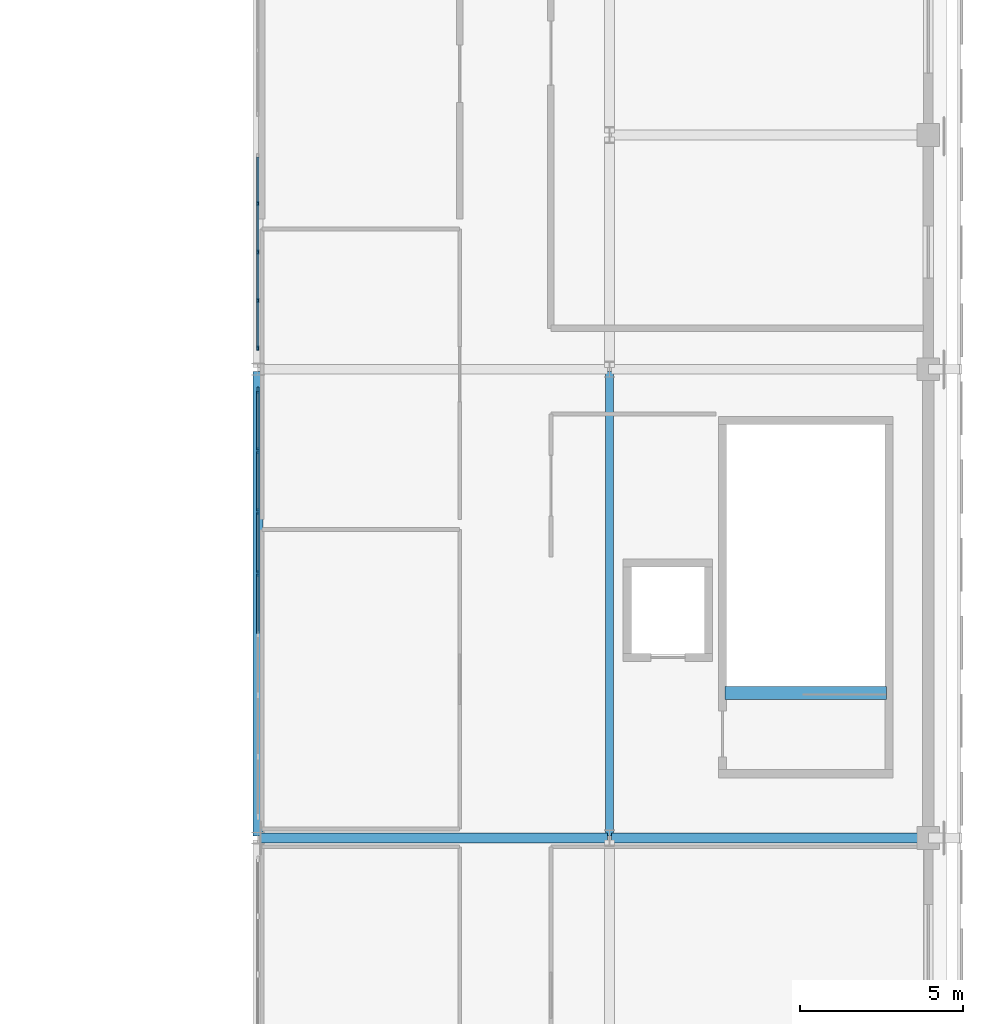
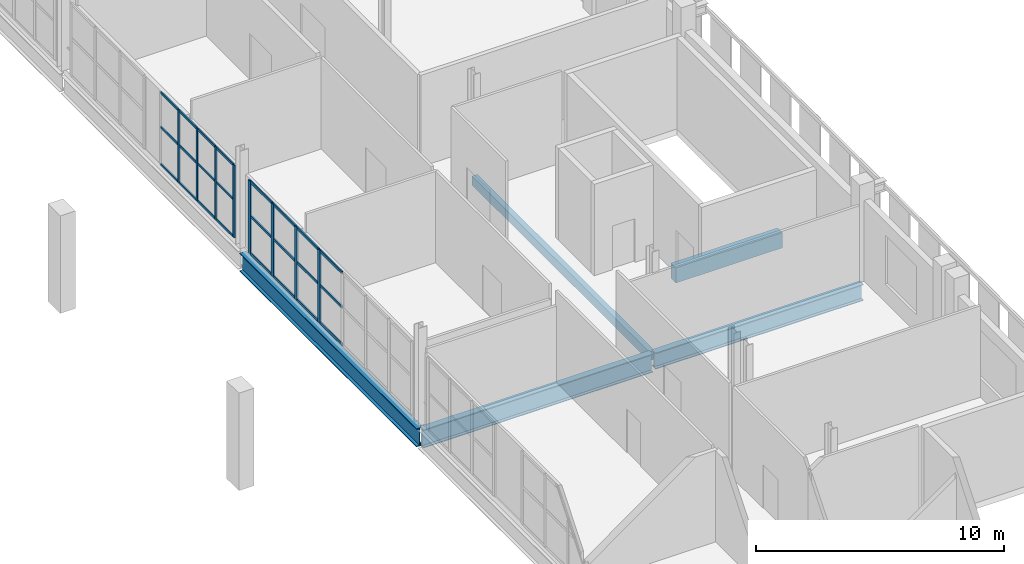
# One storey, part 20 of 51: 32 members, 5 beams, 2 elements without a shape of their own.
"""IFC4 building model written with IfcOpenShell, lengths in metres."""

from ifc_helpers import new_model, si_unit, direction, frame, origin, origin_2d, place, context, subcontext, project, spatial, rectangle, hollow_rectangle, i_section, extrude, material, material_profile, profile_set, type_object, element, aggregate, save


model = new_model("IFC4")

# Units and contexts
model_context = context("Model", 3, precision=1e-05, world=origin(), true_north=direction((0.0, 1.0)))
body_context = subcontext(model_context, "Body", "Model", "MODEL_VIEW")
ifc_project = project(units=[si_unit("LENGTHUNIT", "METRE"), si_unit("AREAUNIT", "SQUARE_METRE"), si_unit("VOLUMEUNIT", "CUBIC_METRE"), si_unit("PLANEANGLEUNIT", "RADIAN"), si_unit("MASSUNIT", "GRAM", prefix="KILO")], contexts=[model_context])

# Site, building, storey
site_placement = place(None, origin())
site = spatial("IfcSite", under=ifc_project, at=site_placement, CompositionType="ELEMENT")
building_placement = place(site_placement, origin())
building = spatial("IfcBuilding", under=site, at=building_placement, Name="Koshinbarg Plaza Stadium", CompositionType="ELEMENT")
storey_placement = place(building_placement, frame((0.0, 0.0, 24.60009765625)))
storey = spatial("IfcBuildingStorey", under=building, at=storey_placement, Name="L05", CompositionType="ELEMENT", Elevation=24.60009765625)

# Beams
ifc_material_1 = material(Name="Concrete C40/50", Category="concrete")
ifc_material_profile_1 = material_profile(ifc_material_1, rectangle(XDim=0.39990234375, YDim=0.75, at=origin_2d()), Name="RC 400x750")
ifc_profile_set_1 = profile_set([ifc_material_profile_1], Name="Concrete C40/50")
beam_type_1 = type_object("IfcBeamType", Name="BM-RCG-03", PredefinedType="USERDEFINED", material=ifc_profile_set_1)
beam_1_placement = place(storey_placement, frame((212.14990234375, 87.56005859375, -0.375), z_axis=(1.0, 0.0, 0.0), x_axis=(0.0, 1.0, 0.0)))
element("IfcBeam", 1, at=beam_1_placement, inside=storey, type_object=beam_type_1, Name="L05 stair landing header beam C09", ObjectType="GIRDER", PredefinedType="USERDEFINED", context=body_context, shape_type="SweptSolid", body=[
    extrude(rectangle(XDim=0.39990234375, YDim=0.75, at=origin_2d()), origin(), (0.0, 0.0, 1.0), 4.97021484375),
])
ifc_material_2 = material(Name="Steel S355", Category="steel")
ifc_material_profile_2 = material_profile(ifc_material_2, i_section(OverallWidth=0.300048828125, OverallDepth=0.800048828125, WebThickness=0.017578125, FlangeThickness=0.032958984375, at=origin_2d()), Name="HEB 800")
ifc_profile_set_2 = profile_set([ifc_material_profile_2], Name="Steel S355")
beam_type_2 = type_object("IfcBeamType", Name="BM-SGIR-04", PredefinedType="USERDEFINED", material=ifc_profile_set_2)
beam_2_placement = place(storey_placement, frame((208.659912109375, 83.10009765625, -0.7001953125), z_axis=(1.0, 0.0, 0.0), x_axis=(0.0, 1.0, 0.0)))
element("IfcBeam", 2, at=beam_2_placement, inside=storey, type_object=beam_type_2, Name="L05 X girder M/20-21", ObjectType="GIRDER", PredefinedType="USERDEFINED", context=body_context, shape_type="SweptSolid", body=[
    extrude(i_section(OverallWidth=0.300048828125, OverallDepth=0.800048828125, WebThickness=0.017578125, FlangeThickness=0.032958984375, at=origin_2d()), origin(), (0.0, 0.0, 1.0), 9.68017578125),
])
ifc_material_profile_3 = material_profile(ifc_material_2, i_section(OverallWidth=0.300048828125, OverallDepth=0.89990234375, WebThickness=0.0185546875, FlangeThickness=0.034912109375, at=origin_2d()), Name="HEB 900")
ifc_profile_set_3 = profile_set([ifc_material_profile_3], Name="Steel S355")
beam_type_3 = type_object("IfcBeamType", Name="BM-SGIR-05", PredefinedType="USERDEFINED", material=ifc_profile_set_3)
beam_3_placement = place(storey_placement, frame((197.860107421875, 83.10009765625, -0.75), z_axis=(1.0, 0.0, 0.0), x_axis=(0.0, 1.0, 0.0)))
element("IfcBeam", 3, at=beam_3_placement, inside=storey, type_object=beam_type_3, Name="L05 X girder M/19-20", ObjectType="GIRDER", PredefinedType="USERDEFINED", context=body_context, shape_type="SweptSolid", body=[
    extrude(i_section(OverallWidth=0.300048828125, OverallDepth=0.89990234375, WebThickness=0.0185546875, FlangeThickness=0.034912109375, at=origin_2d()), origin(), (0.0, 0.0, 1.0), 10.679931640625),
])
beam_4_placement = place(storey_placement, frame((197.800048828125, 83.159912109375, -0.75), z_axis=(0.0, 1.0, 0.0), x_axis=(-1.0, 0.0, 0.0)))
element("IfcBeam", 4, at=beam_4_placement, inside=storey, type_object=beam_type_3, Name="L05 Y girder 19/M-N", ObjectType="GIRDER", PredefinedType="USERDEFINED", context=body_context, shape_type="SweptSolid", body=[
    extrude(i_section(OverallWidth=0.300048828125, OverallDepth=0.89990234375, WebThickness=0.0185546875, FlangeThickness=0.034912109375, at=origin_2d()), origin(), (0.0, 0.0, 1.0), 14.280029296875),
])
ifc_material_profile_4 = material_profile(ifc_material_2, hollow_rectangle(XDim=0.25, YDim=0.449951171875, WallThickness=0.01611328125, at=origin_2d()), Name="RHS 450x250x16")
ifc_profile_set_4 = profile_set([ifc_material_profile_4], Name="Steel S355")
beam_type_4 = type_object("IfcBeamType", Name="BM-SGIR-06", PredefinedType="USERDEFINED", material=ifc_profile_set_4)
beam_5_placement = place(storey_placement, frame((208.60009765625, 83.159912109375, -0.525146484375), z_axis=(0.0, 1.0, 0.0), x_axis=(-1.0, 0.0, 0.0)))
element("IfcBeam", 5, at=beam_5_placement, inside=storey, type_object=beam_type_4, Name="L05 Y girder 20/M-N", ObjectType="GIRDER", PredefinedType="USERDEFINED", context=body_context, shape_type="SweptSolid", body=[
    extrude(hollow_rectangle(XDim=0.25, YDim=0.449951171875, WallThickness=0.01611328125, at=origin_2d()), origin(), (0.0, 0.0, 1.0), 14.280029296875),
])

# Curtain wall, members
ifc_material_3 = material(Name="Thermally broken anodised aluminium and low-E double glazing", Category="aluminium")
curtain_wall_type_1 = type_object("IfcCurtainWallType", Name="CW-SYS-05", PredefinedType="NOTDEFINED", material=ifc_material_3)
curtain_wall_1_placement = place(storey_placement, origin())
curtain_wall_1 = element("IfcCurtainWall", 6, at=curtain_wall_1_placement, inside=storey, type_object=curtain_wall_type_1, Name="L05 unitised curtain wall CW-L05-148", PredefinedType="NOTDEFINED")
ifc_material_4 = material(Name="Anodised aluminium mullion", Category="aluminium")
ifc_material_profile_5 = material_profile(ifc_material_4, rectangle(XDim=0.06005859375, YDim=0.139892578125, at=origin_2d()), Name="ALU 60x140")
ifc_profile_set_5 = profile_set([ifc_material_profile_5], Name="Anodised aluminium mullion")
member_type_1 = type_object("IfcMemberType", Name="CW-MUL-01", PredefinedType="MULLION", material=ifc_profile_set_5)
member_1_placement = place(storey_placement, frame((197.800048828125, 98.14990234375, 0.0), z_axis=(0.0, 0.0, 1.0), x_axis=(-1.0, 0.0, 0.0)))
member_1 = element("IfcMember", 7, at=member_1_placement, type_object=member_type_1, Name="CW05 mullion 1", PredefinedType="MULLION", context=body_context, shape_type="SweptSolid", body=[
    extrude(rectangle(XDim=0.06005859375, YDim=0.139892578125, at=origin_2d()), origin(), (0.0, 0.0, 1.0), 3.579833984375),
])
member_2_placement = place(storey_placement, frame((197.800048828125, 99.610107421875, 0.0), z_axis=(0.0, 0.0, 1.0), x_axis=(-1.0, 0.0, 0.0)))
member_2 = element("IfcMember", 8, at=member_2_placement, type_object=member_type_1, Name="CW05 mullion 2", PredefinedType="MULLION", context=body_context, shape_type="SweptSolid", body=[
    extrude(rectangle(XDim=0.06005859375, YDim=0.139892578125, at=origin_2d()), origin(), (0.0, 0.0, 1.0), 3.579833984375),
])
member_3_placement = place(storey_placement, frame((197.800048828125, 101.10009765625, 0.0), z_axis=(0.0, 0.0, 1.0), x_axis=(-1.0, 0.0, 0.0)))
member_3 = element("IfcMember", 9, at=member_3_placement, type_object=member_type_1, Name="CW05 mullion 3", PredefinedType="MULLION", context=body_context, shape_type="SweptSolid", body=[
    extrude(rectangle(XDim=0.06005859375, YDim=0.139892578125, at=origin_2d()), origin(), (0.0, 0.0, 1.0), 3.579833984375),
])
member_4_placement = place(storey_placement, frame((197.800048828125, 102.590087890625, 0.0), z_axis=(0.0, 0.0, 1.0), x_axis=(-1.0, 0.0, 0.0)))
member_4 = element("IfcMember", 10, at=member_4_placement, type_object=member_type_1, Name="CW05 mullion 4", PredefinedType="MULLION", context=body_context, shape_type="SweptSolid", body=[
    extrude(rectangle(XDim=0.06005859375, YDim=0.139892578125, at=origin_2d()), origin(), (0.0, 0.0, 1.0), 3.579833984375),
])

curtain_wall_type_2 = type_object("IfcCurtainWallType", Name="CW-SYS-04", PredefinedType="NOTDEFINED", material=ifc_material_3)
curtain_wall_2_placement = place(storey_placement, origin())
curtain_wall_2 = element("IfcCurtainWall", 11, at=curtain_wall_2_placement, inside=storey, type_object=curtain_wall_type_2, Name="L05 unitised curtain wall CW-L05-147", PredefinedType="NOTDEFINED")
ifc_material_profile_6 = material_profile(ifc_material_4, rectangle(XDim=0.070068359375, YDim=0.199951171875, at=origin_2d()), Name="ALU 70x200")
ifc_profile_set_6 = profile_set([ifc_material_profile_6], Name="Anodised aluminium mullion")
member_type_2 = type_object("IfcMemberType", Name="CW-MUL-04", PredefinedType="MULLION", material=ifc_profile_set_6)
member_5_placement = place(storey_placement, frame((197.800048828125, 91.239990234375, 0.0), z_axis=(0.0, 0.0, 1.0), x_axis=(-1.0, 0.0, 0.0)))
member_5 = element("IfcMember", 12, at=member_5_placement, type_object=member_type_2, Name="CW04 mullion 5", PredefinedType="MULLION", context=body_context, shape_type="SweptSolid", body=[
    extrude(rectangle(XDim=0.070068359375, YDim=0.199951171875, at=origin_2d()), origin(), (0.0, 0.0, 1.0), 3.579833984375),
])
member_6_placement = place(storey_placement, frame((197.800048828125, 93.1201171875, 0.0), z_axis=(0.0, 0.0, 1.0), x_axis=(-1.0, 0.0, 0.0)))
member_6 = element("IfcMember", 13, at=member_6_placement, type_object=member_type_2, Name="CW04 mullion 6", PredefinedType="MULLION", context=body_context, shape_type="SweptSolid", body=[
    extrude(rectangle(XDim=0.070068359375, YDim=0.199951171875, at=origin_2d()), origin(), (0.0, 0.0, 1.0), 3.579833984375),
])
member_7_placement = place(storey_placement, frame((197.800048828125, 95.0, 0.0), z_axis=(0.0, 0.0, 1.0), x_axis=(-1.0, 0.0, 0.0)))
member_7 = element("IfcMember", 14, at=member_7_placement, type_object=member_type_2, Name="CW04 mullion 7", PredefinedType="MULLION", context=body_context, shape_type="SweptSolid", body=[
    extrude(rectangle(XDim=0.070068359375, YDim=0.199951171875, at=origin_2d()), origin(), (0.0, 0.0, 1.0), 3.579833984375),
])
member_8_placement = place(storey_placement, frame((197.800048828125, 96.85009765625, 0.0), z_axis=(0.0, 0.0, 1.0), x_axis=(-1.0, 0.0, 0.0)))
member_8 = element("IfcMember", 15, at=member_8_placement, type_object=member_type_2, Name="CW04 mullion 8", PredefinedType="MULLION", context=body_context, shape_type="SweptSolid", body=[
    extrude(rectangle(XDim=0.070068359375, YDim=0.199951171875, at=origin_2d()), origin(), (0.0, 0.0, 1.0), 3.579833984375),
])

# Member
ifc_material_5 = material(Name="Anodised aluminium transom", Category="aluminium")
ifc_material_profile_7 = material_profile(ifc_material_5, rectangle(XDim=0.06005859375, YDim=0.110107421875, at=origin_2d()), Name="ALU 60x110")
ifc_profile_set_7 = profile_set([ifc_material_profile_7], Name="Anodised aluminium transom")
member_type_3 = type_object("IfcMemberType", Name="CW-TRN-01", PredefinedType="USERDEFINED", material=ifc_profile_set_7)
member_9_placement = place(storey_placement, frame((197.800048828125, 98.179931640625, 0.02978515625), z_axis=(0.0, 1.0, 0.0), x_axis=(-1.0, 0.0, 0.0)))
member_9 = element("IfcMember", 16, at=member_9_placement, type_object=member_type_3, Name="CW05 transom 1.1", ObjectType="TRANSOM", PredefinedType="USERDEFINED", context=body_context, shape_type="SweptSolid", body=[
    extrude(rectangle(XDim=0.06005859375, YDim=0.110107421875, at=origin_2d()), origin(), (0.0, 0.0, 1.0), 1.400146484375),
])

member_10_placement = place(storey_placement, frame((197.800048828125, 98.179931640625, 1.861572265625), z_axis=(0.0, 1.0, 0.0), x_axis=(-1.0, 0.0, 0.0)))
member_10 = element("IfcMember", 17, at=member_10_placement, type_object=member_type_3, Name="CW05 transom 1.2", ObjectType="TRANSOM", PredefinedType="USERDEFINED", context=body_context, shape_type="SweptSolid", body=[
    extrude(rectangle(XDim=0.06005859375, YDim=0.110107421875, at=origin_2d()), origin(), (0.0, 0.0, 1.0), 1.400146484375),
])

member_11_placement = place(storey_placement, frame((197.800048828125, 98.179931640625, 3.5498046875), z_axis=(0.0, 1.0, 0.0), x_axis=(-1.0, 0.0, 0.0)))
member_11 = element("IfcMember", 18, at=member_11_placement, type_object=member_type_3, Name="CW05 transom 1.3", ObjectType="TRANSOM", PredefinedType="USERDEFINED", context=body_context, shape_type="SweptSolid", body=[
    extrude(rectangle(XDim=0.06005859375, YDim=0.110107421875, at=origin_2d()), origin(), (0.0, 0.0, 1.0), 1.400146484375),
])

member_12_placement = place(storey_placement, frame((197.800048828125, 99.639892578125, 0.02978515625), z_axis=(0.0, 1.0, 0.0), x_axis=(-1.0, 0.0, 0.0)))
member_12 = element("IfcMember", 19, at=member_12_placement, type_object=member_type_3, Name="CW05 transom 2.1", ObjectType="TRANSOM", PredefinedType="USERDEFINED", context=body_context, shape_type="SweptSolid", body=[
    extrude(rectangle(XDim=0.06005859375, YDim=0.110107421875, at=origin_2d()), origin(), (0.0, 0.0, 1.0), 1.43017578125),
])

member_13_placement = place(storey_placement, frame((197.800048828125, 99.639892578125, 1.861572265625), z_axis=(0.0, 1.0, 0.0), x_axis=(-1.0, 0.0, 0.0)))
member_13 = element("IfcMember", 20, at=member_13_placement, type_object=member_type_3, Name="CW05 transom 2.2", ObjectType="TRANSOM", PredefinedType="USERDEFINED", context=body_context, shape_type="SweptSolid", body=[
    extrude(rectangle(XDim=0.06005859375, YDim=0.110107421875, at=origin_2d()), origin(), (0.0, 0.0, 1.0), 1.43017578125),
])

member_14_placement = place(storey_placement, frame((197.800048828125, 99.639892578125, 3.5498046875), z_axis=(0.0, 1.0, 0.0), x_axis=(-1.0, 0.0, 0.0)))
member_14 = element("IfcMember", 21, at=member_14_placement, type_object=member_type_3, Name="CW05 transom 2.3", ObjectType="TRANSOM", PredefinedType="USERDEFINED", context=body_context, shape_type="SweptSolid", body=[
    extrude(rectangle(XDim=0.06005859375, YDim=0.110107421875, at=origin_2d()), origin(), (0.0, 0.0, 1.0), 1.43017578125),
])

member_15_placement = place(storey_placement, frame((197.800048828125, 101.1298828125, 0.02978515625), z_axis=(0.0, 1.0, 0.0), x_axis=(-1.0, 0.0, 0.0)))
member_15 = element("IfcMember", 22, at=member_15_placement, type_object=member_type_3, Name="CW05 transom 3.1", ObjectType="TRANSOM", PredefinedType="USERDEFINED", context=body_context, shape_type="SweptSolid", body=[
    extrude(rectangle(XDim=0.06005859375, YDim=0.110107421875, at=origin_2d()), origin(), (0.0, 0.0, 1.0), 1.43017578125),
])

member_16_placement = place(storey_placement, frame((197.800048828125, 101.1298828125, 1.861572265625), z_axis=(0.0, 1.0, 0.0), x_axis=(-1.0, 0.0, 0.0)))
member_16 = element("IfcMember", 23, at=member_16_placement, type_object=member_type_3, Name="CW05 transom 3.2", ObjectType="TRANSOM", PredefinedType="USERDEFINED", context=body_context, shape_type="SweptSolid", body=[
    extrude(rectangle(XDim=0.06005859375, YDim=0.110107421875, at=origin_2d()), origin(), (0.0, 0.0, 1.0), 1.43017578125),
])

member_17_placement = place(storey_placement, frame((197.800048828125, 101.1298828125, 3.5498046875), z_axis=(0.0, 1.0, 0.0), x_axis=(-1.0, 0.0, 0.0)))
member_17 = element("IfcMember", 24, at=member_17_placement, type_object=member_type_3, Name="CW05 transom 3.3", ObjectType="TRANSOM", PredefinedType="USERDEFINED", context=body_context, shape_type="SweptSolid", body=[
    extrude(rectangle(XDim=0.06005859375, YDim=0.110107421875, at=origin_2d()), origin(), (0.0, 0.0, 1.0), 1.43017578125),
])

member_18_placement = place(storey_placement, frame((197.800048828125, 102.6201171875, 0.02978515625), z_axis=(0.0, 1.0, 0.0), x_axis=(-1.0, 0.0, 0.0)))
member_18 = element("IfcMember", 25, at=member_18_placement, type_object=member_type_3, Name="CW05 transom 4.1", ObjectType="TRANSOM", PredefinedType="USERDEFINED", context=body_context, shape_type="SweptSolid", body=[
    extrude(rectangle(XDim=0.06005859375, YDim=0.110107421875, at=origin_2d()), origin(), (0.0, 0.0, 1.0), 1.39990234375),
])

member_19_placement = place(storey_placement, frame((197.800048828125, 102.6201171875, 1.861572265625), z_axis=(0.0, 1.0, 0.0), x_axis=(-1.0, 0.0, 0.0)))
member_19 = element("IfcMember", 26, at=member_19_placement, type_object=member_type_3, Name="CW05 transom 4.2", ObjectType="TRANSOM", PredefinedType="USERDEFINED", context=body_context, shape_type="SweptSolid", body=[
    extrude(rectangle(XDim=0.06005859375, YDim=0.110107421875, at=origin_2d()), origin(), (0.0, 0.0, 1.0), 1.39990234375),
])

member_20_placement = place(storey_placement, frame((197.800048828125, 102.6201171875, 3.5498046875), z_axis=(0.0, 1.0, 0.0), x_axis=(-1.0, 0.0, 0.0)))
member_20 = element("IfcMember", 27, at=member_20_placement, type_object=member_type_3, Name="CW05 transom 4.3", ObjectType="TRANSOM", PredefinedType="USERDEFINED", context=body_context, shape_type="SweptSolid", body=[
    extrude(rectangle(XDim=0.06005859375, YDim=0.110107421875, at=origin_2d()), origin(), (0.0, 0.0, 1.0), 1.39990234375),
])

aggregate(curtain_wall_1, [member_1, member_2, member_3, member_4, member_9, member_10, member_11, member_12, member_13, member_14, member_15, member_16, member_17, member_18, member_19, member_20])

ifc_material_profile_8 = material_profile(ifc_material_5, rectangle(XDim=0.06005859375, YDim=0.1298828125, at=origin_2d()), Name="ALU 60x130")
ifc_profile_set_8 = profile_set([ifc_material_profile_8], Name="Anodised aluminium transom")
member_type_4 = type_object("IfcMemberType", Name="CW-TRN-02", PredefinedType="USERDEFINED", material=ifc_profile_set_8)
member_21_placement = place(storey_placement, frame((197.800048828125, 89.389892578125, 0.02978515625), z_axis=(0.0, 1.0, 0.0), x_axis=(-1.0, 0.0, 0.0)))
member_21 = element("IfcMember", 28, at=member_21_placement, type_object=member_type_4, Name="CW04 transom 4.1", ObjectType="TRANSOM", PredefinedType="USERDEFINED", context=body_context, shape_type="SweptSolid", body=[
    extrude(rectangle(XDim=0.06005859375, YDim=0.1298828125, at=origin_2d()), origin(), (0.0, 0.0, 1.0), 1.820068359375),
])

member_22_placement = place(storey_placement, frame((197.800048828125, 89.389892578125, 1.861572265625), z_axis=(0.0, 1.0, 0.0), x_axis=(-1.0, 0.0, 0.0)))
member_22 = element("IfcMember", 29, at=member_22_placement, type_object=member_type_4, Name="CW04 transom 4.2", ObjectType="TRANSOM", PredefinedType="USERDEFINED", context=body_context, shape_type="SweptSolid", body=[
    extrude(rectangle(XDim=0.06005859375, YDim=0.1298828125, at=origin_2d()), origin(), (0.0, 0.0, 1.0), 1.820068359375),
])

member_23_placement = place(storey_placement, frame((197.800048828125, 89.389892578125, 3.5498046875), z_axis=(0.0, 1.0, 0.0), x_axis=(-1.0, 0.0, 0.0)))
member_23 = element("IfcMember", 30, at=member_23_placement, type_object=member_type_4, Name="CW04 transom 4.3", ObjectType="TRANSOM", PredefinedType="USERDEFINED", context=body_context, shape_type="SweptSolid", body=[
    extrude(rectangle(XDim=0.06005859375, YDim=0.1298828125, at=origin_2d()), origin(), (0.0, 0.0, 1.0), 1.820068359375),
])

member_24_placement = place(storey_placement, frame((197.800048828125, 91.27001953125, 0.02978515625), z_axis=(0.0, 1.0, 0.0), x_axis=(-1.0, 0.0, 0.0)))
member_24 = element("IfcMember", 31, at=member_24_placement, type_object=member_type_4, Name="CW04 transom 5.1", ObjectType="TRANSOM", PredefinedType="USERDEFINED", context=body_context, shape_type="SweptSolid", body=[
    extrude(rectangle(XDim=0.06005859375, YDim=0.1298828125, at=origin_2d()), origin(), (0.0, 0.0, 1.0), 1.820068359375),
])

member_25_placement = place(storey_placement, frame((197.800048828125, 91.27001953125, 1.861572265625), z_axis=(0.0, 1.0, 0.0), x_axis=(-1.0, 0.0, 0.0)))
member_25 = element("IfcMember", 32, at=member_25_placement, type_object=member_type_4, Name="CW04 transom 5.2", ObjectType="TRANSOM", PredefinedType="USERDEFINED", context=body_context, shape_type="SweptSolid", body=[
    extrude(rectangle(XDim=0.06005859375, YDim=0.1298828125, at=origin_2d()), origin(), (0.0, 0.0, 1.0), 1.820068359375),
])

member_26_placement = place(storey_placement, frame((197.800048828125, 91.27001953125, 3.5498046875), z_axis=(0.0, 1.0, 0.0), x_axis=(-1.0, 0.0, 0.0)))
member_26 = element("IfcMember", 33, at=member_26_placement, type_object=member_type_4, Name="CW04 transom 5.3", ObjectType="TRANSOM", PredefinedType="USERDEFINED", context=body_context, shape_type="SweptSolid", body=[
    extrude(rectangle(XDim=0.06005859375, YDim=0.1298828125, at=origin_2d()), origin(), (0.0, 0.0, 1.0), 1.820068359375),
])

member_27_placement = place(storey_placement, frame((197.800048828125, 93.14990234375, 0.02978515625), z_axis=(0.0, 1.0, 0.0), x_axis=(-1.0, 0.0, 0.0)))
member_27 = element("IfcMember", 34, at=member_27_placement, type_object=member_type_4, Name="CW04 transom 6.1", ObjectType="TRANSOM", PredefinedType="USERDEFINED", context=body_context, shape_type="SweptSolid", body=[
    extrude(rectangle(XDim=0.06005859375, YDim=0.1298828125, at=origin_2d()), origin(), (0.0, 0.0, 1.0), 1.820068359375),
])

member_28_placement = place(storey_placement, frame((197.800048828125, 93.14990234375, 1.861572265625), z_axis=(0.0, 1.0, 0.0), x_axis=(-1.0, 0.0, 0.0)))
member_28 = element("IfcMember", 35, at=member_28_placement, type_object=member_type_4, Name="CW04 transom 6.2", ObjectType="TRANSOM", PredefinedType="USERDEFINED", context=body_context, shape_type="SweptSolid", body=[
    extrude(rectangle(XDim=0.06005859375, YDim=0.1298828125, at=origin_2d()), origin(), (0.0, 0.0, 1.0), 1.820068359375),
])

member_29_placement = place(storey_placement, frame((197.800048828125, 93.14990234375, 3.5498046875), z_axis=(0.0, 1.0, 0.0), x_axis=(-1.0, 0.0, 0.0)))
member_29 = element("IfcMember", 36, at=member_29_placement, type_object=member_type_4, Name="CW04 transom 6.3", ObjectType="TRANSOM", PredefinedType="USERDEFINED", context=body_context, shape_type="SweptSolid", body=[
    extrude(rectangle(XDim=0.06005859375, YDim=0.1298828125, at=origin_2d()), origin(), (0.0, 0.0, 1.0), 1.820068359375),
])

member_30_placement = place(storey_placement, frame((197.800048828125, 95.030029296875, 0.02978515625), z_axis=(0.0, 1.0, 0.0), x_axis=(-1.0, 0.0, 0.0)))
member_30 = element("IfcMember", 37, at=member_30_placement, type_object=member_type_4, Name="CW04 transom 7.1", ObjectType="TRANSOM", PredefinedType="USERDEFINED", context=body_context, shape_type="SweptSolid", body=[
    extrude(rectangle(XDim=0.06005859375, YDim=0.1298828125, at=origin_2d()), origin(), (0.0, 0.0, 1.0), 1.7900390625),
])

member_31_placement = place(storey_placement, frame((197.800048828125, 95.030029296875, 1.861572265625), z_axis=(0.0, 1.0, 0.0), x_axis=(-1.0, 0.0, 0.0)))
member_31 = element("IfcMember", 38, at=member_31_placement, type_object=member_type_4, Name="CW04 transom 7.2", ObjectType="TRANSOM", PredefinedType="USERDEFINED", context=body_context, shape_type="SweptSolid", body=[
    extrude(rectangle(XDim=0.06005859375, YDim=0.1298828125, at=origin_2d()), origin(), (0.0, 0.0, 1.0), 1.7900390625),
])

member_32_placement = place(storey_placement, frame((197.800048828125, 95.030029296875, 3.5498046875), z_axis=(0.0, 1.0, 0.0), x_axis=(-1.0, 0.0, 0.0)))
member_32 = element("IfcMember", 39, at=member_32_placement, type_object=member_type_4, Name="CW04 transom 7.3", ObjectType="TRANSOM", PredefinedType="USERDEFINED", context=body_context, shape_type="SweptSolid", body=[
    extrude(rectangle(XDim=0.06005859375, YDim=0.1298828125, at=origin_2d()), origin(), (0.0, 0.0, 1.0), 1.7900390625),
])

aggregate(curtain_wall_2, [member_5, member_6, member_7, member_8, member_21, member_22, member_23, member_24, member_25, member_26, member_27, member_28, member_29, member_30, member_31, member_32])

save(model, "model.ifc")
